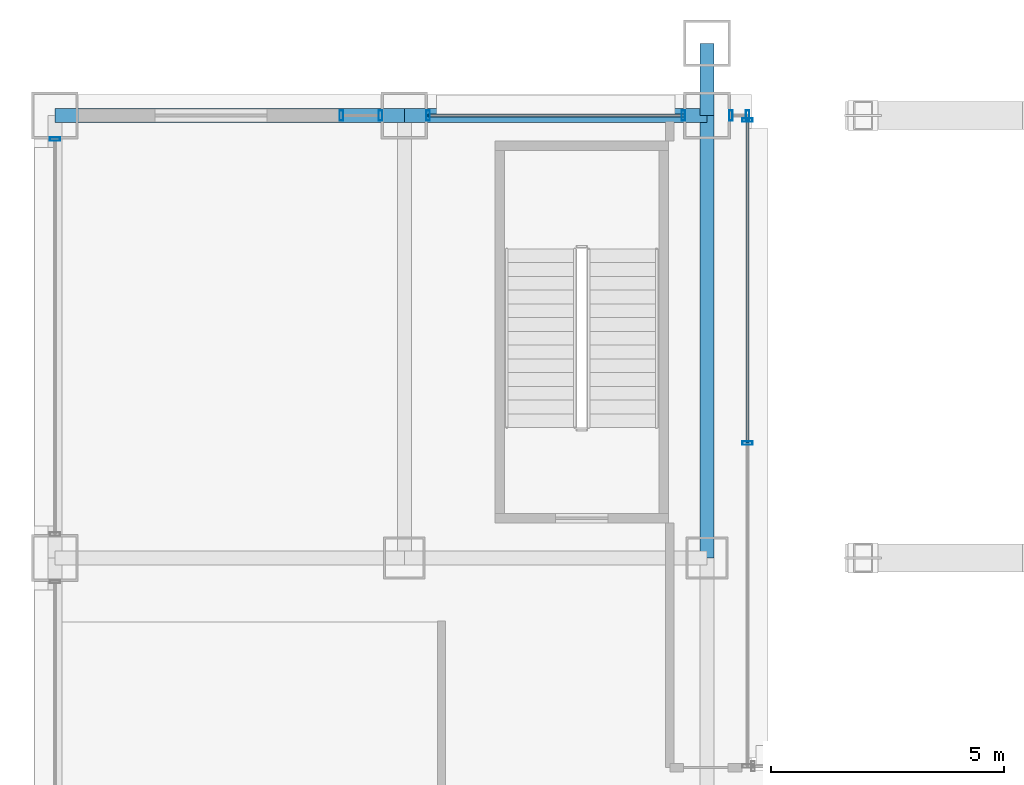
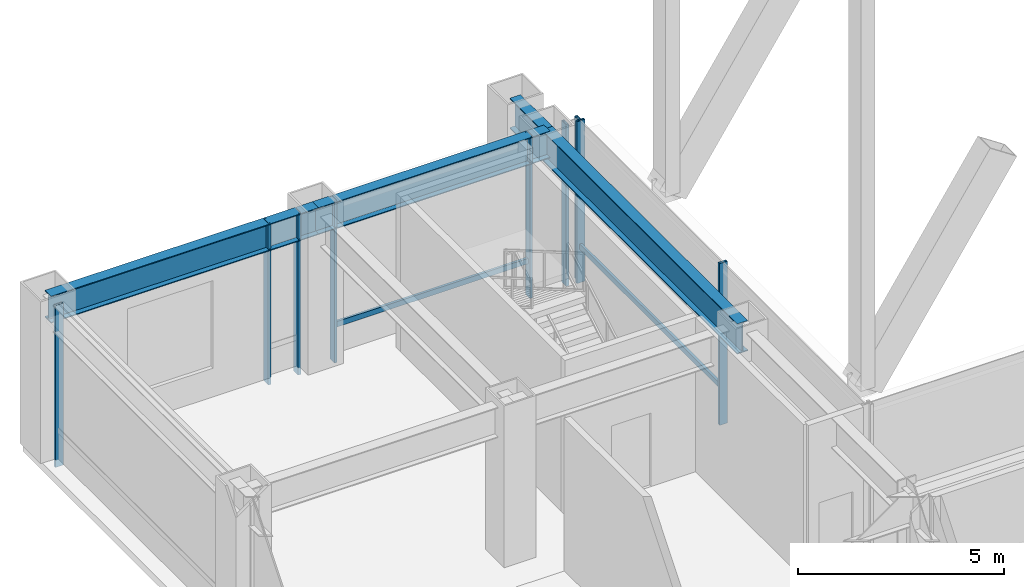
# One storey, part 18 of 40: 11 members, 4 beams, 5 elements without a shape of their own.
"""IFC4 building model written with IfcOpenShell, lengths in metres."""

from ifc_helpers import new_model, si_unit, direction, frame, origin, origin_2d, place, context, subcontext, project, spatial, hollow_rectangle, i_section, extrude, material, layer, layer_set, material_profile, profile_set, type_object, element, aggregate, save


model = new_model("IFC4")

# Units and contexts
model_context = context("Model", 3, precision=1e-05, world=origin(), true_north=direction((0.0, 1.0)))
body_context = subcontext(model_context, "Body", "Model", "MODEL_VIEW")
ifc_project = project(units=[si_unit("LENGTHUNIT", "METRE"), si_unit("AREAUNIT", "SQUARE_METRE"), si_unit("VOLUMEUNIT", "CUBIC_METRE"), si_unit("PLANEANGLEUNIT", "RADIAN"), si_unit("MASSUNIT", "GRAM", prefix="KILO")], contexts=[model_context])

# Site, building, storey
site_placement = place(None, origin())
site = spatial("IfcSite", under=ifc_project, at=site_placement, CompositionType="ELEMENT")
building_placement = place(site_placement, origin())
building = spatial("IfcBuilding", under=site, at=building_placement, Name="Brelmoor Portico Tower", CompositionType="ELEMENT")
storey_placement = place(building_placement, frame((0.0, 0.0, 4.800048828125)))
storey = spatial("IfcBuildingStorey", under=building, at=storey_placement, Name="L01", CompositionType="ELEMENT", Elevation=4.800048828125)

# Beams
ifc_material_1 = material(Name="Steel Q355B", Category="steel")
ifc_material_profile_1 = material_profile(ifc_material_1, i_section(OverallWidth=0.300048828125, OverallDepth=0.89990234375, WebThickness=0.01611328125, FlangeThickness=0.028076171875, at=origin_2d()), Name="HN 900x300x16x28")
ifc_profile_set_1 = profile_set([ifc_material_profile_1], Name="Steel Q355B")
beam_type_1 = type_object("IfcBeamType", Name="BM-PG-900", PredefinedType="BEAM", material=ifc_profile_set_1)
beam_1_placement = place(storey_placement, frame((-14.550048828125, 18.050048828125, 4.1298828125), z_axis=(0.0, 1.0, 0.0), x_axis=(-1.0, 0.0, 0.0)))
element("IfcBeam", 1, at=beam_1_placement, inside=storey, type_object=beam_type_1, Name="L01 Primary Floor Girder PG-09", PredefinedType="BEAM", context=body_context, shape_type="SweptSolid", body=[
    extrude(i_section(OverallWidth=0.300048828125, OverallDepth=0.89990234375, WebThickness=0.01611328125, FlangeThickness=0.028076171875, at=origin_2d()), origin(), (0.0, 0.0, 1.0), 9.5),
])
beam_2_placement = place(storey_placement, frame((-14.550048828125, 27.550048828125, 4.1298828125), z_axis=(0.0, 1.0, 0.0), x_axis=(-1.0, 0.0, 0.0)))
element("IfcBeam", 2, at=beam_2_placement, inside=storey, type_object=beam_type_1, Name="L01 Primary Floor Girder PG-10", PredefinedType="BEAM", context=body_context, shape_type="SweptSolid", body=[
    extrude(i_section(OverallWidth=0.300048828125, OverallDepth=0.89990234375, WebThickness=0.01611328125, FlangeThickness=0.028076171875, at=origin_2d()), origin(), (0.0, 0.0, 1.0), 1.550048828125),
])
ifc_material_profile_2 = material_profile(ifc_material_1, i_section(OverallWidth=0.300048828125, OverallDepth=0.800048828125, WebThickness=0.013916015625, FlangeThickness=0.02587890625, at=origin_2d()), Name="HN 800x300x14x26")
ifc_profile_set_2 = profile_set([ifc_material_profile_2], Name="Steel Q355B")
beam_type_2 = type_object("IfcBeamType", Name="BM-SP-800", PredefinedType="SPANDREL", material=ifc_profile_set_2)
beam_3_placement = place(storey_placement, frame((-28.550048828125, 27.550048828125, 4.179931640625), z_axis=(1.0, 0.0, 0.0), x_axis=(0.0, 1.0, 0.0)))
element("IfcBeam", 3, at=beam_3_placement, inside=storey, type_object=beam_type_2, Name="L01 Perimeter Spandrel Beam SP-05", PredefinedType="SPANDREL", context=body_context, shape_type="SweptSolid", body=[
    extrude(i_section(OverallWidth=0.300048828125, OverallDepth=0.800048828125, WebThickness=0.013916015625, FlangeThickness=0.02587890625, at=origin_2d()), origin(), (0.0, 0.0, 1.0), 7.5),
])
beam_4_placement = place(storey_placement, frame((-21.050048828125, 27.550048828125, 4.179931640625), z_axis=(1.0, 0.0, 0.0), x_axis=(0.0, 1.0, 0.0)))
element("IfcBeam", 4, at=beam_4_placement, inside=storey, type_object=beam_type_2, Name="L01 Perimeter Spandrel Beam SP-06", PredefinedType="SPANDREL", context=body_context, shape_type="SweptSolid", body=[
    extrude(i_section(OverallWidth=0.300048828125, OverallDepth=0.800048828125, WebThickness=0.013916015625, FlangeThickness=0.02587890625, at=origin_2d()), origin(), (0.0, 0.0, 1.0), 6.5),
])

# Curtain wall, members
ifc_material_2 = material(Name="Anodised Aluminium Alloy 6063-T6", Category="aluminium")
ifc_layer = layer(ifc_material_2, 0.179931640625)
ifc_layer_set = layer_set([ifc_layer], Name="Anodised Aluminium Alloy 6063-T6")
curtain_wall_type = type_object("IfcCurtainWallType", Name="CW-PODIUM-ARCH", PredefinedType="NOTDEFINED", material=ifc_layer_set)
curtain_wall_1_placement = place(storey_placement, origin())
curtain_wall_1 = element("IfcCurtainWall", 5, at=curtain_wall_1_placement, inside=storey, type_object=curtain_wall_type, Name="L01 Curtain Wall CW-L01-03-1", PredefinedType="NOTDEFINED")
ifc_material_profile_3 = material_profile(ifc_material_2, hollow_rectangle(XDim=0.074951171875, YDim=0.219970703125, WallThickness=0.0048828125, at=origin_2d()), Name="ALU MULLION 75x220")
ifc_profile_set_3 = profile_set([ifc_material_profile_3], Name="Anodised Aluminium Alloy 6063-T6")
member_type_1 = type_object("IfcMemberType", Name="MB-CW-MULL-220", PredefinedType="MULLION", material=ifc_profile_set_3)
member_1_placement = place(storey_placement, frame((-22.39990234375, 27.550048828125, -0.219970703125), z_axis=(0.0, 0.0, 1.0), x_axis=(1.0, 0.0, 0.0)))
member_1 = element("IfcMember", 6, at=member_1_placement, type_object=member_type_1, Name="CW-L01-03-1 Mullion 00", PredefinedType="MULLION", context=body_context, shape_type="SweptSolid", body=[
    extrude(hollow_rectangle(XDim=0.074951171875, YDim=0.219970703125, WallThickness=0.0048828125, at=origin_2d()), origin(), (0.0, 0.0, 1.0), 4.7998046875),
])
member_2_placement = place(storey_placement, frame((-21.56005859375, 27.550048828125, -0.219970703125), z_axis=(0.0, 0.0, 1.0), x_axis=(1.0, 0.0, 0.0)))
member_2 = element("IfcMember", 7, at=member_2_placement, type_object=member_type_1, Name="CW-L01-03-1 Mullion 01", PredefinedType="MULLION", context=body_context, shape_type="SweptSolid", body=[
    extrude(hollow_rectangle(XDim=0.074951171875, YDim=0.219970703125, WallThickness=0.0048828125, at=origin_2d()), origin(), (0.0, 0.0, 1.0), 4.7998046875),
])
aggregate(curtain_wall_1, [member_1, member_2])

curtain_wall_2_placement = place(storey_placement, origin())
curtain_wall_2 = element("IfcCurtainWall", 8, at=curtain_wall_2_placement, inside=storey, type_object=curtain_wall_type, Name="L01 Curtain Wall CW-L01-03-2", PredefinedType="NOTDEFINED")
member_3_placement = place(storey_placement, frame((-20.5400390625, 27.550048828125, -0.219970703125), z_axis=(0.0, 0.0, 1.0), x_axis=(1.0, 0.0, 0.0)))
member_3 = element("IfcMember", 9, at=member_3_placement, type_object=member_type_1, Name="CW-L01-03-2 Mullion 00", PredefinedType="MULLION", context=body_context, shape_type="SweptSolid", body=[
    extrude(hollow_rectangle(XDim=0.074951171875, YDim=0.219970703125, WallThickness=0.0048828125, at=origin_2d()), origin(), (0.0, 0.0, 1.0), 4.7998046875),
])
member_4_placement = place(storey_placement, frame((-15.06005859375, 27.550048828125, -0.219970703125), z_axis=(0.0, 0.0, 1.0), x_axis=(1.0, 0.0, 0.0)))
member_4 = element("IfcMember", 10, at=member_4_placement, type_object=member_type_1, Name="CW-L01-03-2 Mullion 01", PredefinedType="MULLION", context=body_context, shape_type="SweptSolid", body=[
    extrude(hollow_rectangle(XDim=0.074951171875, YDim=0.219970703125, WallThickness=0.0048828125, at=origin_2d()), origin(), (0.0, 0.0, 1.0), 4.7998046875),
])

curtain_wall_3_placement = place(storey_placement, origin())
curtain_wall_3 = element("IfcCurtainWall", 11, at=curtain_wall_3_placement, inside=storey, type_object=curtain_wall_type, Name="L01 Curtain Wall CW-L01-03-3", PredefinedType="NOTDEFINED")
member_5_placement = place(storey_placement, frame((-14.0400390625, 27.550048828125, -0.219970703125), z_axis=(0.0, 0.0, 1.0), x_axis=(1.0, 0.0, 0.0)))
member_5 = element("IfcMember", 12, at=member_5_placement, type_object=member_type_1, Name="CW-L01-03-3 Mullion 00", PredefinedType="MULLION", context=body_context, shape_type="SweptSolid", body=[
    extrude(hollow_rectangle(XDim=0.074951171875, YDim=0.219970703125, WallThickness=0.0048828125, at=origin_2d()), origin(), (0.0, 0.0, 1.0), 4.7998046875),
])
member_6_placement = place(storey_placement, frame((-13.679931640625, 27.550048828125, -0.219970703125), z_axis=(0.0, 0.0, 1.0), x_axis=(1.0, 0.0, 0.0)))
member_6 = element("IfcMember", 13, at=member_6_placement, type_object=member_type_1, Name="CW-L01-03-3 Mullion 01", PredefinedType="MULLION", context=body_context, shape_type="SweptSolid", body=[
    extrude(hollow_rectangle(XDim=0.074951171875, YDim=0.219970703125, WallThickness=0.0048828125, at=origin_2d()), origin(), (0.0, 0.0, 1.0), 4.7998046875),
])
aggregate(curtain_wall_3, [member_5, member_6])

# Curtain wall, member
curtain_wall_4_placement = place(storey_placement, origin())
curtain_wall_4 = element("IfcCurtainWall", 14, at=curtain_wall_4_placement, inside=storey, type_object=curtain_wall_type, Name="L01 Curtain Wall CW-L01-05-6", PredefinedType="NOTDEFINED")
member_7_placement = place(storey_placement, frame((-28.550048828125, 27.0400390625, -0.219970703125), z_axis=(0.0, 0.0, 1.0), x_axis=(0.0, 1.0, 0.0)))
member_7 = element("IfcMember", 15, at=member_7_placement, type_object=member_type_1, Name="CW-L01-05-6 Mullion 01", PredefinedType="MULLION", context=body_context, shape_type="SweptSolid", body=[
    extrude(hollow_rectangle(XDim=0.074951171875, YDim=0.219970703125, WallThickness=0.0048828125, at=origin_2d()), origin(), (0.0, 0.0, 1.0), 4.7998046875),
])
aggregate(curtain_wall_4, [member_7])

# Curtain wall, members
curtain_wall_5_placement = place(storey_placement, origin())
curtain_wall_5 = element("IfcCurtainWall", 16, at=curtain_wall_5_placement, inside=storey, type_object=curtain_wall_type, Name="L01 Curtain Wall CW-L01-09", PredefinedType="NOTDEFINED")
member_8_placement = place(storey_placement, frame((-13.679931640625, 20.514892578125, -0.219970703125), z_axis=(0.0, 0.0, 1.0), x_axis=(0.0, 1.0, 0.0)))
member_8 = element("IfcMember", 17, at=member_8_placement, type_object=member_type_1, Name="CW-L01-09 Mullion 01", PredefinedType="MULLION", context=body_context, shape_type="SweptSolid", body=[
    extrude(hollow_rectangle(XDim=0.074951171875, YDim=0.219970703125, WallThickness=0.0048828125, at=origin_2d()), origin(), (0.0, 0.0, 1.0), 4.7998046875),
])
member_9_placement = place(storey_placement, frame((-13.679931640625, 27.449951171875, -0.219970703125), z_axis=(0.0, 0.0, 1.0), x_axis=(0.0, 1.0, 0.0)))
member_9 = element("IfcMember", 18, at=member_9_placement, type_object=member_type_1, Name="CW-L01-09 Mullion 02", PredefinedType="MULLION", context=body_context, shape_type="SweptSolid", body=[
    extrude(hollow_rectangle(XDim=0.074951171875, YDim=0.219970703125, WallThickness=0.0048828125, at=origin_2d()), origin(), (0.0, 0.0, 1.0), 4.7998046875),
])

# Member
ifc_material_profile_4 = material_profile(ifc_material_2, hollow_rectangle(XDim=0.070068359375, YDim=0.159912109375, WallThickness=0.00390625, at=origin_2d()), Name="ALU TRANSOM 70x160")
ifc_profile_set_4 = profile_set([ifc_material_profile_4], Name="Anodised Aluminium Alloy 6063-T6")
member_type_2 = type_object("IfcMemberType", Name="MB-CW-TRAN-160", PredefinedType="USERDEFINED", material=ifc_profile_set_4)
member_10_placement = place(storey_placement, frame((-20.5400390625, 27.550048828125, 0.849853515625), z_axis=(1.0, 0.0, 0.0), x_axis=(0.0, 1.0, 0.0)))
member_10 = element("IfcMember", 19, at=member_10_placement, type_object=member_type_2, Name="CW-L01-03-2 Transom 1-00", ObjectType="TRANSOM", PredefinedType="USERDEFINED", context=body_context, shape_type="SweptSolid", body=[
    extrude(hollow_rectangle(XDim=0.070068359375, YDim=0.159912109375, WallThickness=0.00390625, at=origin_2d()), origin(), (0.0, 0.0, 1.0), 5.47998046875),
])

aggregate(curtain_wall_2, [member_3, member_4, member_10])

member_11_placement = place(storey_placement, frame((-13.679931640625, 20.514892578125, 0.849853515625), z_axis=(0.0, 1.0, 0.0), x_axis=(-1.0, 0.0, 0.0)))
member_11 = element("IfcMember", 20, at=member_11_placement, type_object=member_type_2, Name="CW-L01-09 Transom 1-01", ObjectType="TRANSOM", PredefinedType="USERDEFINED", context=body_context, shape_type="SweptSolid", body=[
    extrude(hollow_rectangle(XDim=0.070068359375, YDim=0.159912109375, WallThickness=0.00390625, at=origin_2d()), origin(), (0.0, 0.0, 1.0), 6.93505859375),
])

aggregate(curtain_wall_5, [member_8, member_9, member_11])

save(model, "model.ifc")
